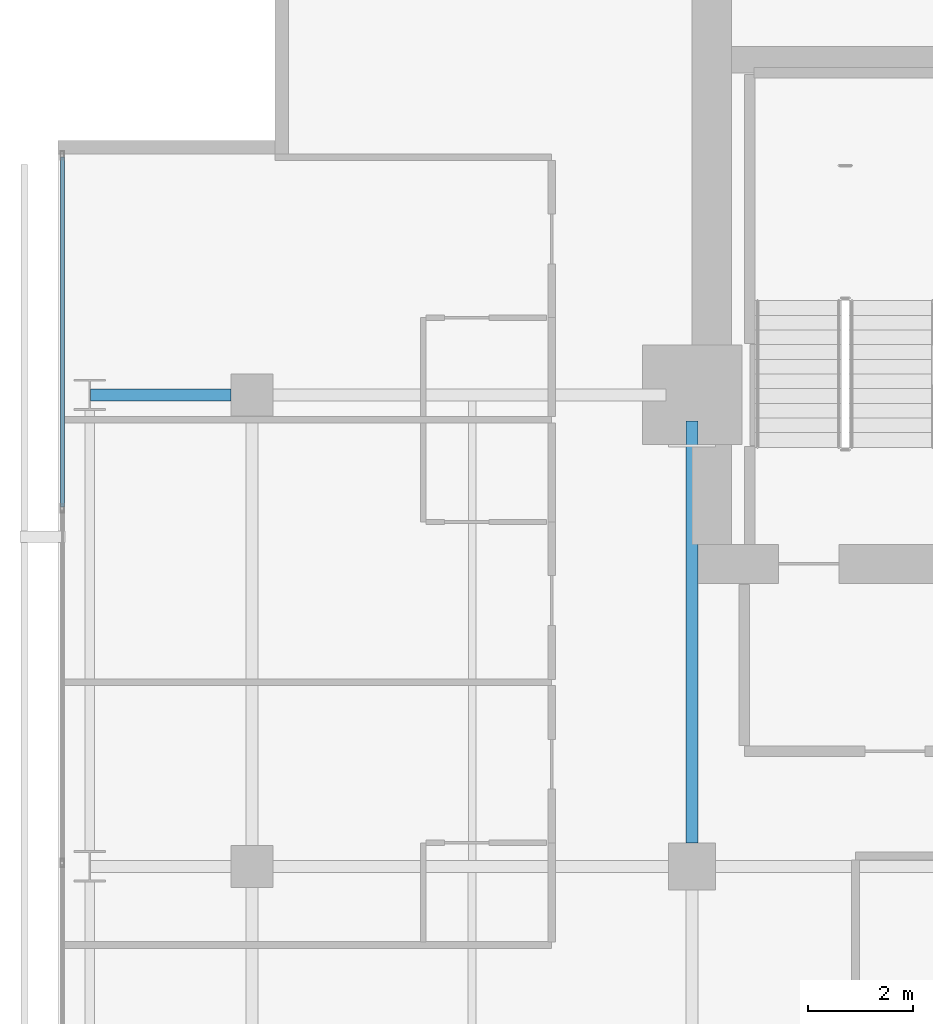
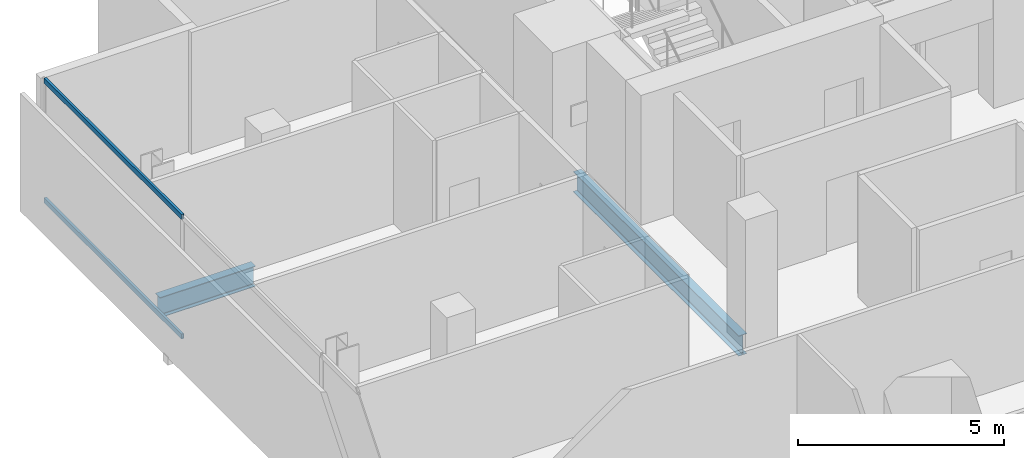
# One storey, part 19 of 34: 2 beams, 2 members, 1 element without a shape of its own.
"""IFC4 building model written with IfcOpenShell, lengths in metres."""

from ifc_helpers import new_model, si_unit, direction, frame, origin, origin_2d, place, context, subcontext, project, spatial, hollow_rectangle, i_section, extrude, material, layer, layer_set, material_profile, profile_set, type_object, element, aggregate, save


model = new_model("IFC4")

# Units and contexts
model_context = context("Model", 3, precision=1e-05, world=origin(), true_north=direction((0.0, 1.0)))
body_context = subcontext(model_context, "Body", "Model", "MODEL_VIEW")
ifc_project = project(units=[si_unit("LENGTHUNIT", "METRE"), si_unit("AREAUNIT", "SQUARE_METRE"), si_unit("VOLUMEUNIT", "CUBIC_METRE"), si_unit("PLANEANGLEUNIT", "RADIAN"), si_unit("MASSUNIT", "GRAM", prefix="KILO")], contexts=[model_context])

# Site, building, storey
site_placement = place(None, origin())
site = spatial("IfcSite", under=ifc_project, at=site_placement, CompositionType="ELEMENT")
building_placement = place(site_placement, origin())
building = spatial("IfcBuilding", under=site, at=building_placement, Name="Maruvema Waterfront Hotel and Observation Tower", CompositionType="ELEMENT")
storey_placement = place(building_placement, frame((0.0, 0.0, 177.449951171875)))
storey = spatial("IfcBuildingStorey", under=building, at=storey_placement, Name="L43", CompositionType="ELEMENT", Elevation=177.449951171875)

# Curtain wall, members
ifc_material_1 = material(Name="Anodised bronze aluminium and solar-control low-E IGU", Category="aluminium")
ifc_layer = layer(ifc_material_1, 0.159912109375, Name="Zone 2 Amber Inner Thermal Curtain Wall System CW-03")
ifc_layer_set = layer_set([ifc_layer], Name="Anodised bronze aluminium and solar-control low-E IGU")
curtain_wall_type = type_object("IfcCurtainWallType", Name="Zone 2 Amber Inner Thermal Curtain Wall System CW-03", PredefinedType="USERDEFINED", material=ifc_layer_set)
curtain_wall_placement = place(storey_placement, origin())
curtain_wall = element("IfcCurtainWall", 1, at=curtain_wall_placement, inside=storey, type_object=curtain_wall_type, Name="L43 Curtain Wall CW-L43-W", ObjectType="UNITISED CURTAIN WALL", PredefinedType="USERDEFINED")
ifc_material_2 = material(Name="Anodised architectural bronze aluminium", Category="aluminium")
ifc_material_profile_1 = material_profile(ifc_material_2, hollow_rectangle(XDim=0.070068359375, YDim=0.14990234375, WallThickness=0.00390625, at=origin_2d()), Name="ALU-T70x150")
ifc_profile_set_1 = profile_set([ifc_material_profile_1], Name="Anodised architectural bronze aluminium")
member_type = type_object("IfcMemberType", Name="Curtain Wall Horizontal Transom ALU-T70x150", PredefinedType="USERDEFINED", material=ifc_profile_set_1)
member_1_placement = place(storey_placement, frame((13.179931640625, 49.5400390625, 0.030029296875), z_axis=(0.0, -1.0, 0.0), x_axis=(1.0, 0.0, 0.0)))
member_1 = element("IfcMember", 2, at=member_1_placement, type_object=member_type, Name="CW-03 transom 1.1", ObjectType="TRANSOM", PredefinedType="USERDEFINED", context=body_context, shape_type="SweptSolid", body=[
    extrude(hollow_rectangle(XDim=0.070068359375, YDim=0.14990234375, WallThickness=0.00390625, at=origin_2d()), origin(), (0.0, 0.0, 1.0), 6.6767578125),
])
member_2_placement = place(storey_placement, frame((13.179931640625, 49.5400390625, 3.580078125), z_axis=(0.0, -1.0, 0.0), x_axis=(1.0, 0.0, 0.0)))
member_2 = element("IfcMember", 3, at=member_2_placement, type_object=member_type, Name="CW-03 transom 1.2", ObjectType="TRANSOM", PredefinedType="USERDEFINED", context=body_context, shape_type="SweptSolid", body=[
    extrude(hollow_rectangle(XDim=0.070068359375, YDim=0.14990234375, WallThickness=0.00390625, at=origin_2d()), origin(), (0.0, 0.0, 1.0), 6.6767578125),
])
aggregate(curtain_wall, [member_1, member_2])

# Beams
ifc_material_3 = material(Name="Steel ASTM A572 Grade 50", Category="steel")
ifc_material_profile_2 = material_profile(ifc_material_3, i_section(OverallWidth=0.22802734375, OverallDepth=0.60302734375, WebThickness=0.010498046875, FlangeThickness=0.014892578125, FilletRadius=0.01806640625, at=origin_2d()), Name="W610x101.0")
ifc_profile_set_2 = profile_set([ifc_material_profile_2], Name="Steel ASTM A572 Grade 50")
beam_type = type_object("IfcBeamType", Name="Primary Floor Girder W610x101.0", PredefinedType="BEAM", material=ifc_profile_set_2)
beam_1_placement = place(storey_placement, frame((13.71240234375, 45.0, -0.54150390625), z_axis=(1.0, 0.0, 0.0), x_axis=(0.0, 1.0, 0.0)))
element("IfcBeam", 4, at=beam_1_placement, inside=storey, type_object=beam_type, Name="L43 Floor Girder EW-30", PredefinedType="BEAM", context=body_context, shape_type="SweptSolid", body=[
    extrude(i_section(OverallWidth=0.22802734375, OverallDepth=0.60302734375, WebThickness=0.010498046875, FlangeThickness=0.014892578125, FilletRadius=0.01806640625, at=origin_2d()), origin(), (0.0, 0.0, 1.0), 2.6875),
])
beam_2_placement = place(storey_placement, frame((25.199951171875, 36.449951171875, -0.54150390625), z_axis=(0.0, 1.0, 0.0), x_axis=(-1.0, 0.0, 0.0)))
element("IfcBeam", 5, at=beam_2_placement, inside=storey, type_object=beam_type, Name="L43 Floor Girder NS-13", PredefinedType="BEAM", context=body_context, shape_type="SweptSolid", body=[
    extrude(i_section(OverallWidth=0.22802734375, OverallDepth=0.60302734375, WebThickness=0.010498046875, FlangeThickness=0.014892578125, FilletRadius=0.01806640625, at=origin_2d()), origin(), (0.0, 0.0, 1.0), 8.050048828125),
])

save(model, "model.ifc")
